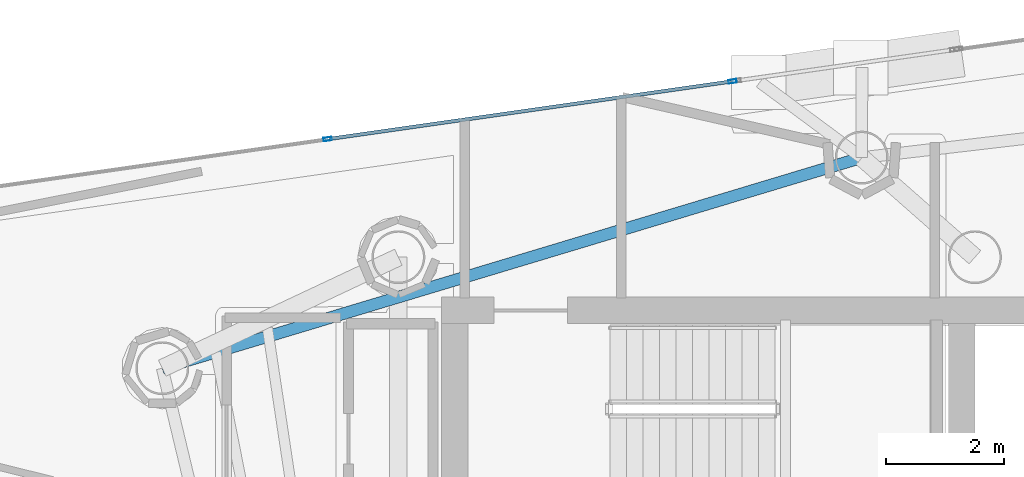
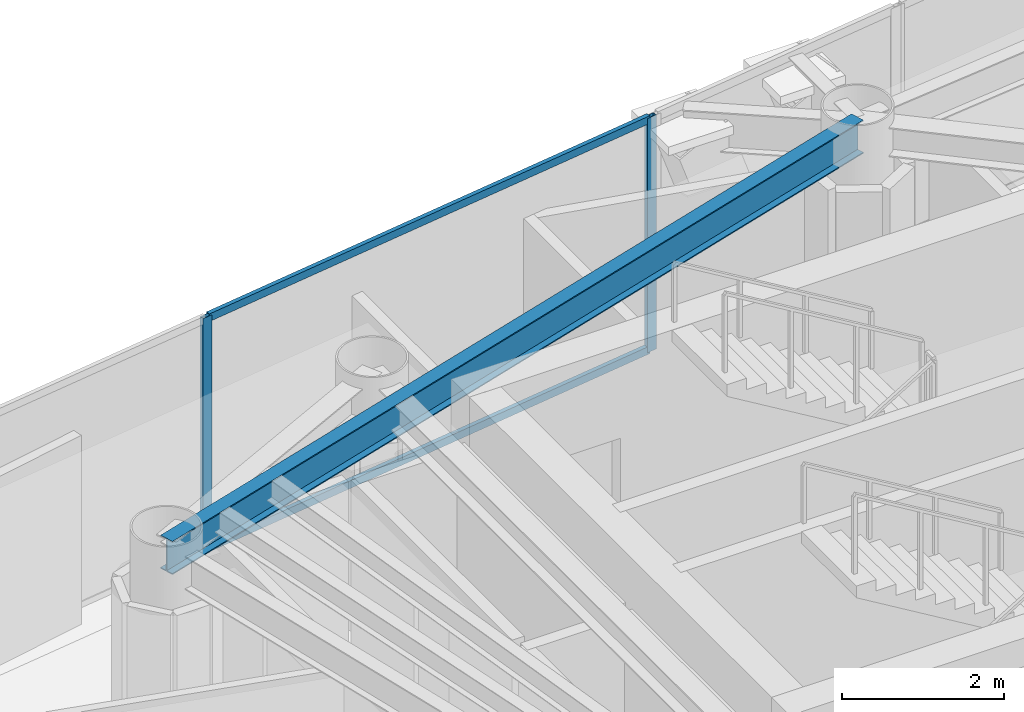
# One storey, part 12 of 25: 4 members, 1 beam, 1 element without a shape of its own.
"""IFC4 building model written with IfcOpenShell, lengths in metres."""

from ifc_helpers import new_model, si_unit, direction, frame, origin, origin_2d, place, context, subcontext, project, spatial, hollow_rectangle, i_section, extrude, material, layer, layer_set, material_profile, profile_set, type_object, element, aggregate, save


model = new_model("IFC4")

# Units and contexts
model_context = context("Model", 3, precision=1e-05, world=origin(), true_north=direction((0.0, 1.0)))
body_context = subcontext(model_context, "Body", "Model", "MODEL_VIEW")
ifc_project = project(units=[si_unit("LENGTHUNIT", "METRE"), si_unit("AREAUNIT", "SQUARE_METRE"), si_unit("VOLUMEUNIT", "CUBIC_METRE"), si_unit("PLANEANGLEUNIT", "RADIAN"), si_unit("MASSUNIT", "GRAM", prefix="KILO")], contexts=[model_context])

# Site, building, storey
site_placement = place(None, origin())
site = spatial("IfcSite", under=ifc_project, at=site_placement, CompositionType="ELEMENT")
building_placement = place(site_placement, origin())
building = spatial("IfcBuilding", under=site, at=building_placement, Name="Qianvela Tower", CompositionType="ELEMENT")
storey_placement = place(building_placement, frame((0.0, 0.0, 288.0)))
storey = spatial("IfcBuildingStorey", under=building, at=storey_placement, Name="L74", CompositionType="ELEMENT", Elevation=288.0)

# Beam
ifc_material_1 = material(Name="Steel Q355B", Category="steel")
ifc_material_profile_1 = material_profile(ifc_material_1, i_section(OverallWidth=0.199951171875, OverallDepth=0.5, WebThickness=0.010009765625, FlangeThickness=0.01611328125, at=origin_2d()), Name="HN500x200x10x16")
ifc_profile_set_1 = profile_set([ifc_material_profile_1], Name="Steel Q355B")
beam_type = type_object("IfcBeamType", Name="BM-HN500-GIRD", PredefinedType="BEAM", material=ifc_profile_set_1)
beam_placement = place(storey_placement, frame((36.47607421875, 35.242919921875, 3.26806640625), z_axis=(-0.957535726794, -0.288314640478, 0.0), x_axis=(0.288314640478, -0.957535726794, 0.0)))
element("IfcBeam", 1, at=beam_placement, inside=storey, type_object=beam_type, Name="L74 Perimeter Ring Spandrel Girder 2", PredefinedType="BEAM", context=body_context, shape_type="SweptSolid", body=[
    extrude(i_section(OverallWidth=0.199951171875, OverallDepth=0.5, WebThickness=0.010009765625, FlangeThickness=0.01611328125, at=origin_2d()), origin(), (0.0, 0.0, 1.0), 12.41650390625),
])

# Curtain wall, members
ifc_material_2 = material(Name="Anodised Architectural Aluminium and Low-E Glass", Category="aluminium")
ifc_layer = layer(ifc_material_2, 0.14990234375)
ifc_layer_set = layer_set([ifc_layer], Name="Anodised Architectural Aluminium and Low-E Glass")
curtain_wall_type = type_object("IfcCurtainWallType", Name="CW-COLIV-Z78", PredefinedType="USERDEFINED", material=ifc_layer_set)
curtain_wall_placement = place(storey_placement, origin())
curtain_wall = element("IfcCurtainWall", 2, at=curtain_wall_placement, inside=storey, type_object=curtain_wall_type, Name="L74 CW-COLIV-Z78 Curtain Wall 02C", ObjectType="CURTAIN_WALL_SYSTEM", PredefinedType="USERDEFINED")
ifc_material_3 = material(Name="Anodised Architectural Aluminium 6063-T6", Category="aluminium")
ifc_material_profile_2 = material_profile(ifc_material_3, hollow_rectangle(XDim=0.06005859375, YDim=0.139892578125, WallThickness=0.00439453125, at=origin_2d()), Name="ALU-MULL-60x140")
ifc_profile_set_2 = profile_set([ifc_material_profile_2], Name="Anodised Architectural Aluminium 6063-T6")
member_type_1 = type_object("IfcMemberType", Name="CW-COLIV-Z78-MULL", PredefinedType="MULLION", material=ifc_profile_set_2)
member_1_placement = place(storey_placement, frame((34.280029296875, 36.5400390625, 0.0), z_axis=(0.0, 0.0, 1.0), x_axis=(0.141362204424, -0.989957942117, 0.0)))
member_1 = element("IfcMember", 3, at=member_1_placement, type_object=member_type_1, Name="CW-6 mullion 1", PredefinedType="MULLION", context=body_context, shape_type="SweptSolid", body=[
    extrude(hollow_rectangle(XDim=0.06005859375, YDim=0.139892578125, WallThickness=0.00439453125, at=origin_2d()), origin(), (0.0, 0.0, 1.0), 3.52001953125),
])
member_2_placement = place(storey_placement, frame((27.397705078125, 35.557373046875, 0.0), z_axis=(0.0, 0.0, 1.0), x_axis=(0.141362204424, -0.989957942117, 0.0)))
member_2 = element("IfcMember", 4, at=member_2_placement, type_object=member_type_1, Name="CW-6 mullion 2", PredefinedType="MULLION", context=body_context, shape_type="SweptSolid", body=[
    extrude(hollow_rectangle(XDim=0.06005859375, YDim=0.139892578125, WallThickness=0.00439453125, at=origin_2d()), origin(), (0.0, 0.0, 1.0), 3.52001953125),
])
ifc_material_4 = material(Name="Anodised Architectural Aluminium 6063-T6", Category="aluminium")
ifc_material_profile_3 = material_profile(ifc_material_4, hollow_rectangle(XDim=0.06005859375, YDim=0.114990234375, WallThickness=0.00390625, at=origin_2d()), Name="ALU-TRAN-60x115")
ifc_profile_set_3 = profile_set([ifc_material_profile_3], Name="Anodised Architectural Aluminium 6063-T6")
member_type_2 = type_object("IfcMemberType", Name="CW-COLIV-Z78-TRAN", PredefinedType="USERDEFINED", material=ifc_profile_set_3)
member_3_placement = place(storey_placement, frame((34.250244140625, 36.535888671875, 0.030029296875), z_axis=(-0.989955868954, -0.141376721999, 0.0), x_axis=(0.141376721999, -0.989955868954, 0.0)))
member_3 = element("IfcMember", 5, at=member_3_placement, type_object=member_type_2, Name="CW-6 transom 1.1", ObjectType="TRANSOM", PredefinedType="USERDEFINED", context=body_context, shape_type="SweptSolid", body=[
    extrude(hollow_rectangle(XDim=0.06005859375, YDim=0.114990234375, WallThickness=0.00390625, at=origin_2d()), origin(), (0.0, 0.0, 1.0), 6.89208984375),
])
member_4_placement = place(storey_placement, frame((34.250244140625, 36.535888671875, 3.489990234375), z_axis=(-0.989955868954, -0.141376721999, 0.0), x_axis=(0.141376721999, -0.989955868954, 0.0)))
member_4 = element("IfcMember", 6, at=member_4_placement, type_object=member_type_2, Name="CW-6 transom 1.2", ObjectType="TRANSOM", PredefinedType="USERDEFINED", context=body_context, shape_type="SweptSolid", body=[
    extrude(hollow_rectangle(XDim=0.06005859375, YDim=0.114990234375, WallThickness=0.00390625, at=origin_2d()), origin(), (0.0, 0.0, 1.0), 6.89208984375),
])
aggregate(curtain_wall, [member_1, member_2, member_3, member_4])

save(model, "model.ifc")
